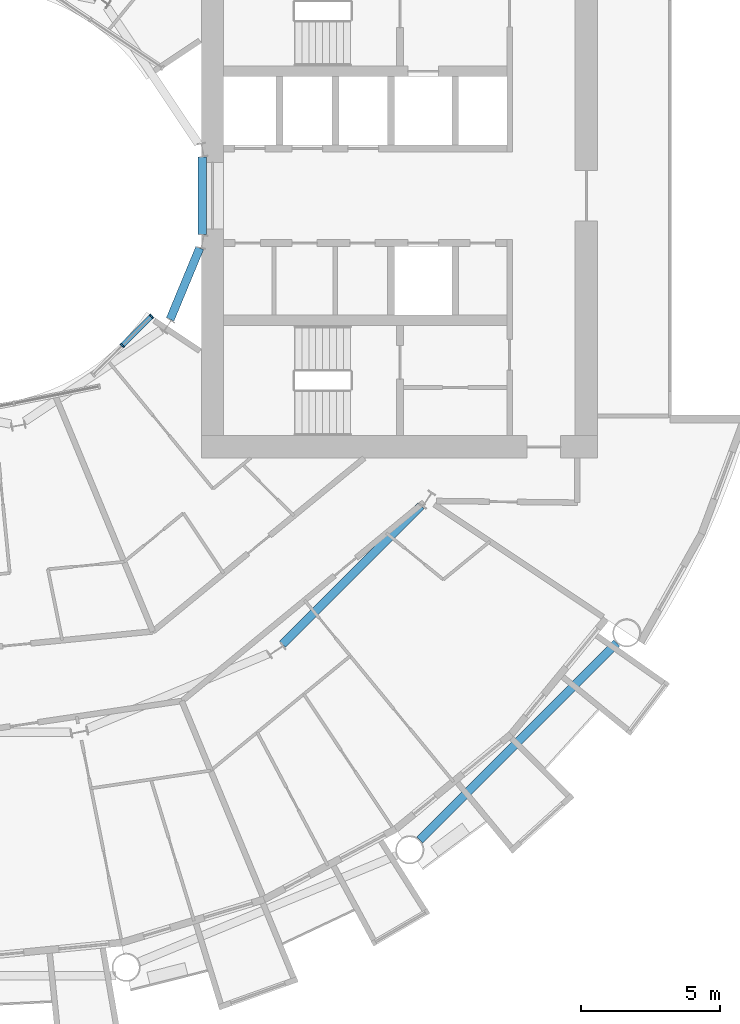
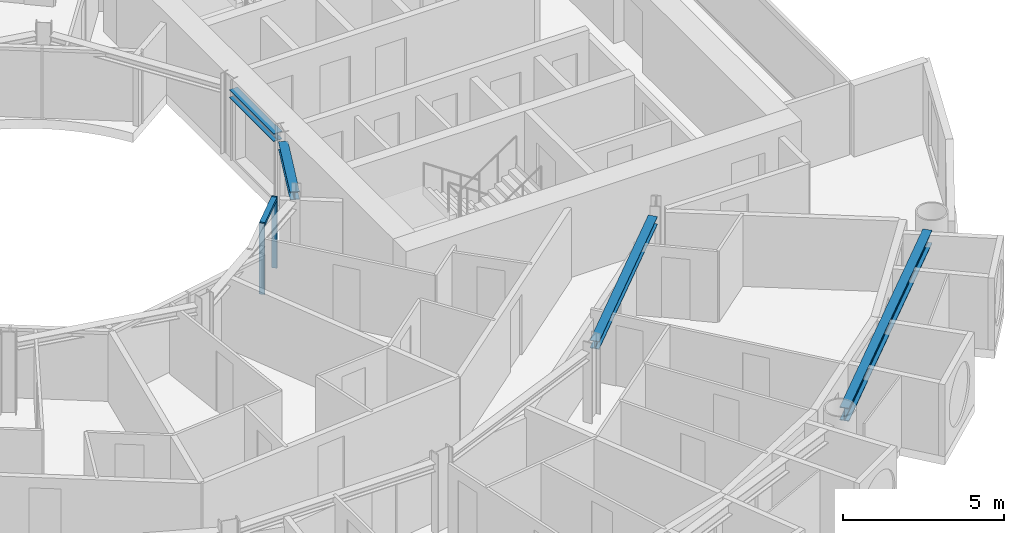
# One storey, part 6 of 26: 4 beams, 3 members, 1 element without a shape of its own.
"""IFC4 building model written with IfcOpenShell, lengths in metres."""

from ifc_helpers import new_model, si_unit, direction, frame, origin, origin_2d, place, context, subcontext, project, spatial, rectangle, i_section, extrude, material, layer, layer_set, material_profile, profile_set, type_object, element, aggregate, save


model = new_model("IFC4")

# Units and contexts
model_context = context("Model", 3, precision=1e-05, world=origin(), true_north=direction((0.0, 1.0)))
body_context = subcontext(model_context, "Body", "Model", "MODEL_VIEW")
ifc_project = project(units=[si_unit("LENGTHUNIT", "METRE"), si_unit("AREAUNIT", "SQUARE_METRE"), si_unit("VOLUMEUNIT", "CUBIC_METRE"), si_unit("PLANEANGLEUNIT", "RADIAN"), si_unit("MASSUNIT", "GRAM", prefix="KILO")], contexts=[model_context])

# Site, building, storey
site_placement = place(None, origin())
site = spatial("IfcSite", under=ifc_project, at=site_placement, CompositionType="ELEMENT")
building_placement = place(site_placement, origin())
building = spatial("IfcBuilding", under=site, at=building_placement, Name="Maasbend Ring Residences", CompositionType="ELEMENT")
storey_placement = place(building_placement, frame((0.0, 0.0, 38.050048828125)))
storey = spatial("IfcBuildingStorey", under=building, at=storey_placement, Name="L10", CompositionType="ELEMENT", Elevation=38.050048828125)

# Curtain wall, members
ifc_material_1 = material(Name="Aluminium and clear glass", Category="aluminium")
ifc_layer = layer(ifc_material_1, 0.179931640625)
ifc_layer_set = layer_set([ifc_layer], Name="CW-W")
curtain_wall_type = type_object("IfcCurtainWallType", Name="CW-W", PredefinedType="NOTDEFINED", material=ifc_layer_set)
curtain_wall_placement = place(storey_placement, origin())
curtain_wall = element("IfcCurtainWall", 1, at=curtain_wall_placement, inside=storey, type_object=curtain_wall_type, Name="Well curtain wall S3", PredefinedType="NOTDEFINED")
ifc_material_2 = material(Name="Aluminium 6063-T6", Category="aluminium")
ifc_material_profile_1 = material_profile(ifc_material_2, rectangle(XDim=0.179931640625, YDim=0.06005859375, at=origin_2d()), Name="AL 180x60")
ifc_profile_set_1 = profile_set([ifc_material_profile_1], Name="Aluminium 6063-T6")
member_type_1 = type_object("IfcMemberType", Name="CWM-W", PredefinedType="MULLION", material=ifc_profile_set_1)
member_1_placement = place(storey_placement, frame((5.366943359375, -5.366943359375, 0.0), z_axis=(0.0, 0.0, 1.0), x_axis=(-0.707106781187, 0.707106781187, 0.0)))
member_1 = element("IfcMember", 2, at=member_1_placement, type_object=member_type_1, Name="Mullion well face", PredefinedType="MULLION", context=body_context, shape_type="SweptSolid", body=[
    extrude(rectangle(XDim=0.179931640625, YDim=0.06005859375, at=origin_2d()), origin(), (0.0, 0.0, 1.0), 2.699951171875),
])
member_2_placement = place(storey_placement, frame((6.413330078125, -4.320556640625, 0.0), z_axis=(0.0, 0.0, 1.0), x_axis=(-0.707106781187, 0.707106781187, 0.0)))
member_2 = element("IfcMember", 3, at=member_2_placement, type_object=member_type_1, Name="Mullion well face", PredefinedType="MULLION", context=body_context, shape_type="SweptSolid", body=[
    extrude(rectangle(XDim=0.179931640625, YDim=0.06005859375, at=origin_2d()), origin(), (0.0, 0.0, 1.0), 2.699951171875),
])
ifc_material_3 = material(Name="Aluminium 6063-T6", Category="aluminium")
ifc_material_profile_2 = material_profile(ifc_material_3, rectangle(XDim=0.179931640625, YDim=0.1201171875, at=origin_2d()), Name="AL 180x120")
ifc_profile_set_2 = profile_set([ifc_material_profile_2], Name="Aluminium 6063-T6")
member_type_2 = type_object("IfcMemberType", Name="CWT-W", PredefinedType="USERDEFINED", material=ifc_profile_set_2)
member_3_placement = place(storey_placement, frame((5.38818359375, -5.345703125, 2.639892578125), z_axis=(0.707106781187, 0.707106781187, 0.0), x_axis=(-0.707106781187, 0.707106781187, 0.0)))
member_3 = element("IfcMember", 4, at=member_3_placement, type_object=member_type_2, Name="Transom well face", ObjectType="TRANSOM", PredefinedType="USERDEFINED", context=body_context, shape_type="SweptSolid", body=[
    extrude(rectangle(XDim=0.179931640625, YDim=0.1201171875, at=origin_2d()), origin(), (0.0, 0.0, 1.0), 1.419677734375),
])
aggregate(curtain_wall, [member_1, member_2, member_3])

# Beams
ifc_material_4 = material(Name="Steel S355J2", Category="steel")
ifc_material_profile_3 = material_profile(ifc_material_4, i_section(OverallWidth=0.300048828125, OverallDepth=0.300048828125, WebThickness=0.010986328125, FlangeThickness=0.01904296875, FilletRadius=0.027099609375, at=origin_2d()), Name="HEB 300")
ifc_profile_set_3 = profile_set([ifc_material_profile_3], Name="Steel S355J2")
beam_type_1 = type_object("IfcBeamType", Name="Corridor ring beam HEB 300", PredefinedType="BEAM", material=ifc_profile_set_3)
beam_1_placement = place(storey_placement, frame((11.11279296875, -16.0732421875, 2.550048828125), z_axis=(0.707106781187, 0.707106781187, 0.0), x_axis=(-0.707106781187, 0.707106781187, 0.0)))
element("IfcBeam", 5, at=beam_1_placement, inside=storey, type_object=beam_type_1, Name="Corridor ring beam", PredefinedType="BEAM", context=body_context, shape_type="SweptSolid", body=[
    extrude(i_section(OverallWidth=0.300048828125, OverallDepth=0.300048828125, WebThickness=0.010986328125, FlangeThickness=0.01904296875, FilletRadius=0.027099609375, at=origin_2d()), origin(), (0.0, 0.0, 1.0), 7.01513671875),
])
ifc_material_5 = material(Name="Steel S355J2", Category="steel")
ifc_material_profile_4 = material_profile(ifc_material_5, i_section(OverallWidth=0.300048828125, OverallDepth=0.5, WebThickness=0.014404296875, FlangeThickness=0.028076171875, FilletRadius=0.027099609375, at=origin_2d()), Name="HEB 500")
ifc_profile_set_4 = profile_set([ifc_material_profile_4], Name="Steel S355J2")
beam_type_2 = type_object("IfcBeamType", Name="Spandrel ring beam HEB 500", PredefinedType="SPANDREL", material=ifc_profile_set_4)
beam_2_placement = place(storey_placement, frame((16.0263671875, -23.088134765625, 2.449951171875), z_axis=(0.707106781187, 0.707106781187, 0.0), x_axis=(-0.707106781187, 0.707106781187, 0.0)))
element("IfcBeam", 6, at=beam_2_placement, inside=storey, type_object=beam_type_2, Name="Spandrel ring beam", PredefinedType="SPANDREL", context=body_context, shape_type="SweptSolid", body=[
    extrude(i_section(OverallWidth=0.300048828125, OverallDepth=0.5, WebThickness=0.014404296875, FlangeThickness=0.028076171875, FilletRadius=0.027099609375, at=origin_2d()), origin(), (0.0, 0.0, 1.0), 9.98681640625),
])
ifc_material_6 = material(Name="Steel S355J2", Category="steel")
ifc_material_profile_5 = material_profile(ifc_material_6, i_section(OverallWidth=0.300048828125, OverallDepth=0.300048828125, WebThickness=0.010986328125, FlangeThickness=0.01904296875, FilletRadius=0.027099609375, at=origin_2d()), Name="HEB 300")
ifc_profile_set_5 = profile_set([ifc_material_profile_5], Name="Steel S355J2")
beam_type_3 = type_object("IfcBeamType", Name="Well edge beam HEB 300", PredefinedType="BEAM", material=ifc_profile_set_5)
beam_3_placement = place(storey_placement, frame((7.081787109375, -4.431396484375, 2.550048828125), z_axis=(0.382723119906, 0.923863092395, 0.0), x_axis=(-0.923863092395, 0.382723119906, 0.0)))
element("IfcBeam", 7, at=beam_3_placement, inside=storey, type_object=beam_type_3, Name="Well edge beam", PredefinedType="BEAM", context=body_context, shape_type="SweptSolid", body=[
    extrude(i_section(OverallWidth=0.300048828125, OverallDepth=0.300048828125, WebThickness=0.010986328125, FlangeThickness=0.01904296875, FilletRadius=0.027099609375, at=origin_2d()), origin(), (0.0, 0.0, 1.0), 2.767822265625),
])
beam_4_placement = place(storey_placement, frame((8.238525390625, -1.3837890625, 2.550048828125), z_axis=(0.0, 1.0, 0.0), x_axis=(-1.0, 0.0, 0.0)))
element("IfcBeam", 8, at=beam_4_placement, inside=storey, type_object=beam_type_3, Name="Well edge beam", PredefinedType="BEAM", context=body_context, shape_type="SweptSolid", body=[
    extrude(i_section(OverallWidth=0.300048828125, OverallDepth=0.300048828125, WebThickness=0.010986328125, FlangeThickness=0.01904296875, FilletRadius=0.027099609375, at=origin_2d()), origin(), (0.0, 0.0, 1.0), 2.767578125),
])

save(model, "model.ifc")
